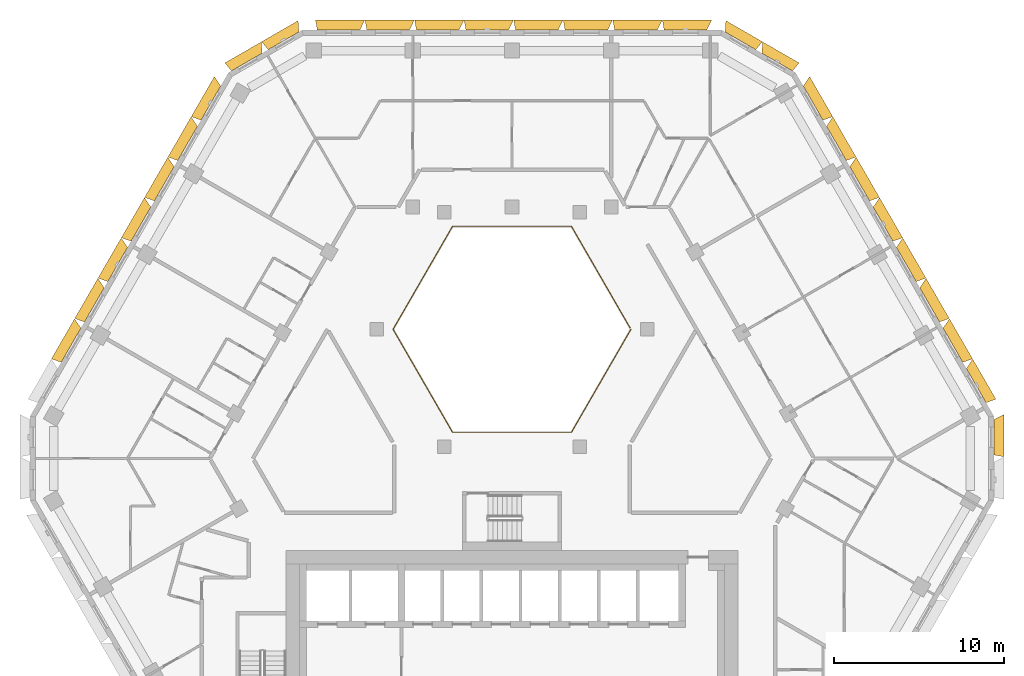
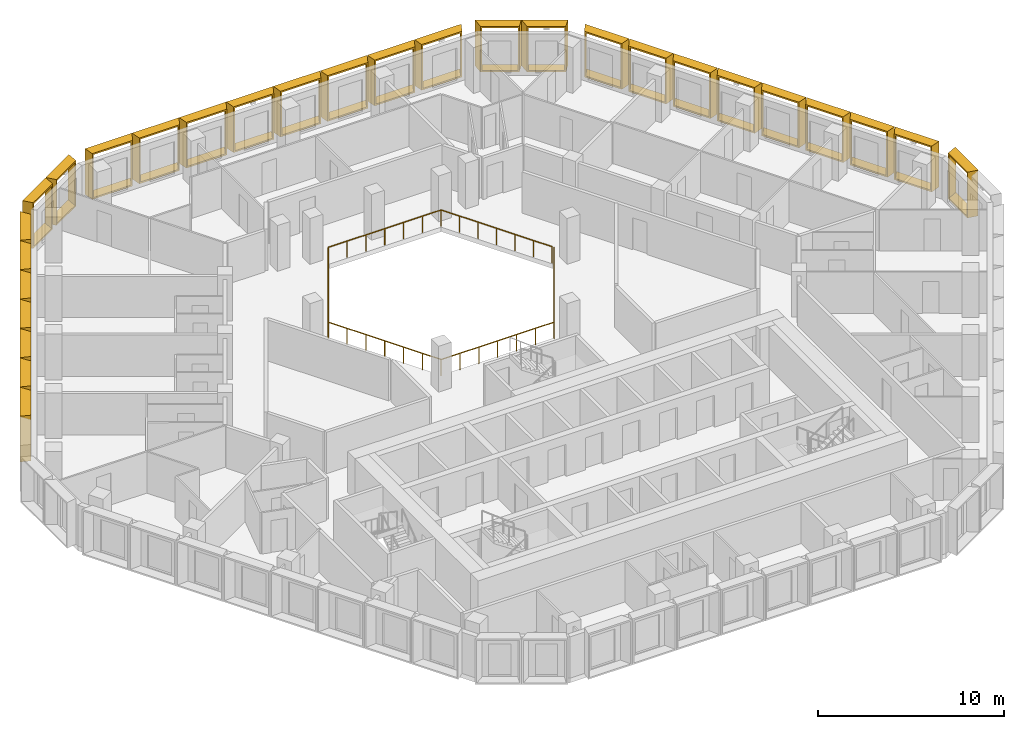
# One storey, part 17 of 17: 28 shading devices, 1 railing.
"""IFC4 building model written with IfcOpenShell, lengths in metres."""

import ifcopenshell
import ifcopenshell.guid

model = None  # the IFC model being written
_history = None  # IfcOwnerHistory: only IFC2X3 demands one
_inside = {}  # id of a spatial element -> (the spatial element, [elements in it])
_under = {}  # id of a project, library or spatial element -> (it, [spatial elements below it])
_declared = {}  # id of a project -> (the project, [libraries it declares])
_typed = {}  # id of a type object -> (the type object, [elements of that type])
_made_of = {}  # id of a material, layer set ... -> (it, [elements and type objects made of it])


def new_model(schema):
    """Start an empty IFC model of exactly this schema.

    Asked for "IFC4X3", IfcOpenShell would pick the latest addendum, in which some entities
    have other attributes; the version numbers below select the first issue.
    IFC2X3 requires an IfcOwnerHistory on every rooted entity: one is made here for all.
    """
    global model, _history
    if schema == "IFC4X3":
        model = ifcopenshell.file(schema_version=(4, 3, 0, 0))
    else:
        model = ifcopenshell.file(schema=schema)
    _inside.clear()
    _under.clear()
    _declared.clear()
    _typed.clear()
    _made_of.clear()
    _history = None
    if model.schema == "IFC2X3":
        org = make("IfcOrganization", Name="unknown")
        user = make(
            "IfcPersonAndOrganization",
            ThePerson=make("IfcPerson", FamilyName="unknown"),
            TheOrganization=org,
        )
        app = make(
            "IfcApplication",
            ApplicationDeveloper=org,
            Version="unknown",
            ApplicationFullName="unknown",
            ApplicationIdentifier="unknown",
        )
        _history = make(
            "IfcOwnerHistory",
            OwningUser=user,
            OwningApplication=app,
            ChangeAction="ADDED",
            CreationDate=0,
        )
    return model


def make(cls, **values):
    """One entity of the class cls with the attributes given. An attribute that is None is left unset."""
    return model.create_entity(
        cls, **{name: value for name, value in values.items() if value is not None}
    )


def entity(cls, *values):
    """Any entity or typed value of the class cls, its attributes in the order of the schema. None: left unset."""
    e = model.create_entity(cls)
    for i, value in enumerate(values):
        if value is not None:
            e[i] = value
    return e


def rooted(cls, **values):
    """An entity with a GlobalId (a new one), such as an element, a storey or a relation."""
    return make(cls, GlobalId=ifcopenshell.guid.new(), OwnerHistory=_history, **values)


def si_unit(unit_type, name, prefix=None):
    """IfcSIUnit, for example si_unit("LENGTHUNIT", "METRE", prefix="MILLI")."""
    return make("IfcSIUnit", UnitType=unit_type, Prefix=prefix, Name=name)


def assignment(units):
    """IfcUnitAssignment: the units of a project."""
    return None if units is None else make("IfcUnitAssignment", Units=units)


def point(xyz):
    """IfcCartesianPoint."""
    return None if xyz is None else make("IfcCartesianPoint", Coordinates=xyz)


def direction(xyz):
    """IfcDirection."""
    return None if xyz is None else make("IfcDirection", DirectionRatios=xyz)


def frame(location, z_axis=None, x_axis=None):
    """IfcAxis2Placement3D, a coordinate frame: its origin and axes. An axis left out is left unset."""
    return make(
        "IfcAxis2Placement3D",
        Location=point(location),
        Axis=direction(z_axis),
        RefDirection=direction(x_axis),
    )


def frame_2d(location, x_axis=None):
    """IfcAxis2Placement2D, a coordinate frame in the plane: its origin and x axis."""
    return make(
        "IfcAxis2Placement2D", Location=point(location), RefDirection=direction(x_axis)
    )


def origin():
    """The frame at (0, 0, 0) with its axes left unset."""
    return frame((0.0, 0.0, 0.0))


def origin_2d():
    """The frame at (0, 0) in the plane with its x axis left unset."""
    return frame_2d((0.0, 0.0))


def place(relative_to, where):
    """IfcLocalPlacement: puts the frame where relative to a parent placement (None: the world)."""
    return make(
        "IfcLocalPlacement", PlacementRelTo=relative_to, RelativePlacement=where
    )


def context(
    kind, dimensions, precision=None, world=None, true_north=None, identifier=None
):
    """IfcGeometricRepresentationContext, for example the 3D "Model" context."""
    return make(
        "IfcGeometricRepresentationContext",
        ContextIdentifier=identifier,
        ContextType=kind,
        CoordinateSpaceDimension=dimensions,
        Precision=precision,
        WorldCoordinateSystem=world,
        TrueNorth=true_north,
    )


def subcontext(parent, identifier, kind, view, scale=None):
    """IfcGeometricRepresentationSubContext, for example "Body" below "Model"."""
    return make(
        "IfcGeometricRepresentationSubContext",
        ContextIdentifier=identifier,
        ContextType=kind,
        ParentContext=parent,
        TargetScale=scale,
        TargetView=view,
    )


def project(units=None, contexts=None):
    """IfcProject with its units and contexts."""
    return rooted(
        "IfcProject",
        Name="project",
        RepresentationContexts=contexts,
        UnitsInContext=assignment(units),
    )


def spatial(cls, under=None, at=None, **own):
    """A site, building, storey or space (cls), placed at a placement, below another one or the project."""
    s = rooted(cls, ObjectPlacement=at, **own)
    if under is not None:
        _under.setdefault(under.id(), (under, []))[1].append(s)
    return s


def profile(cls, at=None, kind="AREA", **sizes):
    """A parametric profile (cls). Its sizes go by their IFC names, for example OverallWidth=200.0."""
    return make(cls, ProfileType=kind, Position=at, **sizes)


def rectangle(**sizes):
    """IfcRectangleProfileDef."""
    return profile("IfcRectangleProfileDef", **sizes)


def extrude(swept, where, along, depth):
    """IfcExtrudedAreaSolid: the profile swept, set in the frame where, extruded along a direction by depth."""
    return make(
        "IfcExtrudedAreaSolid",
        SweptArea=swept,
        Position=where,
        ExtrudedDirection=direction(along),
        Depth=depth,
    )


def shape(context_of_items, identifier, shape_type, items):
    """IfcShapeRepresentation: the items that make up one representation, for example the "Body"."""
    return make(
        "IfcShapeRepresentation",
        ContextOfItems=context_of_items,
        RepresentationIdentifier=identifier,
        RepresentationType=shape_type,
        Items=items,
    )


def source(mapping_origin, context_of_items, identifier, shape_type, items):
    """IfcRepresentationMap: a shape defined once, which mapped items show again and again."""
    return make(
        "IfcRepresentationMap",
        MappingOrigin=mapping_origin,
        MappedRepresentation=shape(context_of_items, identifier, shape_type, items),
    )


def transform(
    local_origin,
    x_axis=None,
    y_axis=None,
    z_axis=None,
    scale=None,
    scale2=None,
    scale3=None,
    uniform=True,
):
    """IfcCartesianTransformationOperator3D, or its non-uniform kind. x_axis, y_axis, z_axis: its Axis1, 2, 3."""
    if uniform:
        return make(
            "IfcCartesianTransformationOperator3D",
            Axis1=direction(x_axis),
            Axis2=direction(y_axis),
            LocalOrigin=point(local_origin),
            Scale=scale,
            Axis3=direction(z_axis),
        )
    return make(
        "IfcCartesianTransformationOperator3DnonUniform",
        Axis1=direction(x_axis),
        Axis2=direction(y_axis),
        LocalOrigin=point(local_origin),
        Scale=scale,
        Axis3=direction(z_axis),
        Scale2=scale2,
        Scale3=scale3,
    )


def mapped(mapping_source, mapping_target):
    """IfcMappedItem: shows the shape of a source again, moved by a transform."""
    return make(
        "IfcMappedItem", MappingSource=mapping_source, MappingTarget=mapping_target
    )


def material(Name=None, Category=None):
    """IfcMaterial."""
    return make("IfcMaterial", Name=Name, Category=Category)


def made_of(thing, what):
    """Note that an element or type object is made of a material, layer set ...; save() writes the relation."""
    if what is not None:
        _made_of.setdefault(what.id(), (what, []))[1].append(thing)
    return thing


def type_object(cls, material=None, **own):
    """A type object (cls), such as IfcWallType, which elements share."""
    return made_of(rooted(cls, **own), material)


def type_shapes(of_type, sources):
    """Give a type object the sources (RepresentationMaps) that its elements show as mapped items."""
    of_type.RepresentationMaps = sources


def element(
    cls,
    number,
    at=None,
    inside=None,
    cuts=None,
    type_object=None,
    material=None,
    context=None,
    identifier="Body",
    shape_type=None,
    held_by="IfcProductDefinitionShape",
    body=None,
    shapes=None,
    **own,
):
    """One element of the class cls, such as IfcWall. Its Tag is "e" and its number.

    at: its placement. inside: the storey or other place that contains it. cuts: it is an
    opening in that element (IfcRelVoidsElement). A single representation is given by context,
    identifier, shape_type and body (its items); several are given by shapes. held_by: the class
    of the entity that holds the representations. save() writes the other relations.
    """
    e = rooted(cls, Tag="e%d" % number, ObjectPlacement=at, **own)
    if body is not None:
        shapes = [shape(context, identifier, shape_type, body)]
    if shapes is not None:
        e.Representation = make(held_by, Representations=shapes)
    if inside is not None:
        _inside.setdefault(inside.id(), (inside, []))[1].append(e)
    if cuts is not None:
        rooted(
            "IfcRelVoidsElement", RelatingBuildingElement=cuts, RelatedOpeningElement=e
        )
    if type_object is not None:
        _typed.setdefault(type_object.id(), (type_object, []))[1].append(e)
    return made_of(e, material)


def aggregate(whole, parts):
    """IfcRelAggregates: a whole, such as a stair, and the parts it consists of."""
    return rooted("IfcRelAggregates", RelatingObject=whole, RelatedObjects=parts)


def save(model, path):
    """Write the relations noted so far, then the file.

    IfcRelAggregates (storeys below a building ...), IfcRelContainedInSpatialStructure (elements
    in a storey), IfcRelDefinesByType, IfcRelAssociatesMaterial and IfcRelDeclares: one each for
    every whole, place, type object, material and project.
    """
    for whole, parts in _under.values():
        aggregate(whole, parts)
    for where, things in _inside.values():
        rooted(
            "IfcRelContainedInSpatialStructure",
            RelatedElements=things,
            RelatingStructure=where,
        )
    for kind, things in _typed.values():
        rooted("IfcRelDefinesByType", RelatedObjects=things, RelatingType=kind)
    for what, things in _made_of.values():
        rooted("IfcRelAssociatesMaterial", RelatedObjects=things, RelatingMaterial=what)
    for by, libraries in _declared.values():
        rooted("IfcRelDeclares", RelatingContext=by, RelatedDefinitions=libraries)
    model.write(path)


model = new_model("IFC4")

# Units and contexts
model_context = context("Model", 3, precision=1e-05, world=origin(), true_north=direction((0.0, 1.0)))
body_context = subcontext(model_context, "Body", "Model", "MODEL_VIEW")
ifc_project = project(units=[si_unit("LENGTHUNIT", "METRE"), si_unit("AREAUNIT", "SQUARE_METRE"), si_unit("VOLUMEUNIT", "CUBIC_METRE"), si_unit("PLANEANGLEUNIT", "RADIAN"), si_unit("MASSUNIT", "GRAM", prefix="KILO")], contexts=[model_context])

# Site, building, storey
site_placement = place(None, origin())
site = spatial("IfcSite", under=ifc_project, at=site_placement, CompositionType="ELEMENT")
building_placement = place(site_placement, origin())
building = spatial("IfcBuilding", under=site, at=building_placement, Name="Beryl Residences", CompositionType="ELEMENT")
storey_placement = place(building_placement, frame((0.0, 0.0, 132.60009765625)))
storey = spatial("IfcBuildingStorey", under=building, at=storey_placement, Name="L40", CompositionType="ELEMENT", Elevation=132.60009765625)

# Railing
ifc_material_1 = material(Name="Stainless steel balustrade with glass infill", Category="steel")
railing_type = type_object("IfcRailingType", Name="EG1 edge guard 1100 mm", PredefinedType="GUARDRAIL", material=ifc_material_1)
railing_placement = place(storey_placement, frame((6.9970703125, 8.0, 0.0)))
element("IfcRailing", 1, at=railing_placement, inside=storey, type_object=railing_type, Name="L40 atrium guard", PredefinedType="GUARDRAIL", context=body_context, shape_type="SweptSolid", body=[
    extrude(rectangle(XDim=0.048095703125, YDim=0.048095703125, at=origin_2d()), frame((0.0, 0.0, 1.076171875), z_axis=(-0.499921796684, -0.866070549782, 0.0), x_axis=(0.866070549782, -0.499921796684, 0.0)), (0.0, 0.0, 1.0), 6.9970703125),
    extrude(rectangle(XDim=0.048095703125, YDim=0.048095703125, at=origin_2d()), frame((-3.498046875, -6.06005859375, 1.076171875), z_axis=(-1.0, 0.0, 0.0), x_axis=(0.0, -1.0, 0.0)), (0.0, 0.0, 1.0), 6.998046875),
    extrude(rectangle(XDim=0.048095703125, YDim=0.048095703125, at=origin_2d()), frame((-10.49609375, -6.06005859375, 1.076171875), z_axis=(-0.499921796684, 0.866070549782, 0.0), x_axis=(-0.866070549782, -0.499921796684, 0.0)), (0.0, 0.0, 1.0), 6.9970703125),
    extrude(rectangle(XDim=0.048095703125, YDim=0.048095703125, at=origin_2d()), frame((-13.994140625, 0.0, 1.076171875), z_axis=(0.499921796684, 0.866070549782, 0.0), x_axis=(-0.866070549782, 0.499921796684, 0.0)), (0.0, 0.0, 1.0), 6.9970703125),
    extrude(rectangle(XDim=0.048095703125, YDim=0.048095703125, at=origin_2d()), frame((-10.49609375, 6.06005859375, 1.076171875), z_axis=(1.0, 0.0, 0.0), x_axis=(0.0, 1.0, 0.0)), (0.0, 0.0, 1.0), 6.998046875),
    extrude(rectangle(XDim=0.048095703125, YDim=0.048095703125, at=origin_2d()), frame((-3.498046875, 6.06005859375, 1.076171875), z_axis=(0.499919131929, -0.866072087953, 0.0), x_axis=(0.866072087953, 0.499919131929, 0.0)), (0.0, 0.0, 1.0), 6.877197265625),
    extrude(rectangle(XDim=0.0419921875, YDim=0.0419921875, at=origin_2d()), origin(), (0.0, 0.0, 1.0), 1.052001953125),
    extrude(rectangle(XDim=0.0419921875, YDim=0.0419921875, at=origin_2d()), frame((-0.5830078125, -1.010009765625, 0.0)), (0.0, 0.0, 1.0), 1.052001953125),
    extrude(rectangle(XDim=0.0419921875, YDim=0.0419921875, at=origin_2d()), frame((-1.166015625, -2.02001953125, 0.0)), (0.0, 0.0, 1.0), 1.052001953125),
    extrude(rectangle(XDim=0.0419921875, YDim=0.0419921875, at=origin_2d()), frame((-1.7490234375, -3.030029296875, 0.0)), (0.0, 0.0, 1.0), 1.052001953125),
    extrude(rectangle(XDim=0.0419921875, YDim=0.0419921875, at=origin_2d()), frame((-2.33203125, -4.0400390625, 0.0)), (0.0, 0.0, 1.0), 1.052001953125),
    extrude(rectangle(XDim=0.0419921875, YDim=0.0419921875, at=origin_2d()), frame((-2.9150390625, -5.050048828125, 0.0)), (0.0, 0.0, 1.0), 1.052001953125),
    extrude(rectangle(XDim=0.0419921875, YDim=0.0419921875, at=origin_2d()), frame((-3.498046875, -6.06005859375, 0.0)), (0.0, 0.0, 1.0), 1.052001953125),
    extrude(rectangle(XDim=0.0419921875, YDim=0.0419921875, at=origin_2d()), frame((-4.664306640625, -6.06005859375, 0.0)), (0.0, 0.0, 1.0), 1.052001953125),
    extrude(rectangle(XDim=0.0419921875, YDim=0.0419921875, at=origin_2d()), frame((-5.830810546875, -6.06005859375, 0.0)), (0.0, 0.0, 1.0), 1.052001953125),
    extrude(rectangle(XDim=0.0419921875, YDim=0.0419921875, at=origin_2d()), frame((-6.9970703125, -6.06005859375, 0.0)), (0.0, 0.0, 1.0), 1.052001953125),
    extrude(rectangle(XDim=0.0419921875, YDim=0.0419921875, at=origin_2d()), frame((-8.163330078125, -6.06005859375, 0.0)), (0.0, 0.0, 1.0), 1.052001953125),
    extrude(rectangle(XDim=0.0419921875, YDim=0.0419921875, at=origin_2d()), frame((-9.329833984375, -6.06005859375, 0.0)), (0.0, 0.0, 1.0), 1.052001953125),
    extrude(rectangle(XDim=0.0419921875, YDim=0.0419921875, at=origin_2d()), frame((-10.49609375, -6.06005859375, 0.0)), (0.0, 0.0, 1.0), 1.052001953125),
    extrude(rectangle(XDim=0.0419921875, YDim=0.0419921875, at=origin_2d()), frame((-11.0791015625, -5.050048828125, 0.0)), (0.0, 0.0, 1.0), 1.052001953125),
    extrude(rectangle(XDim=0.0419921875, YDim=0.0419921875, at=origin_2d()), frame((-11.662109375, -4.0400390625, 0.0)), (0.0, 0.0, 1.0), 1.052001953125),
    extrude(rectangle(XDim=0.0419921875, YDim=0.0419921875, at=origin_2d()), frame((-12.2451171875, -3.030029296875, 0.0)), (0.0, 0.0, 1.0), 1.052001953125),
    extrude(rectangle(XDim=0.0419921875, YDim=0.0419921875, at=origin_2d()), frame((-12.828125, -2.02001953125, 0.0)), (0.0, 0.0, 1.0), 1.052001953125),
    extrude(rectangle(XDim=0.0419921875, YDim=0.0419921875, at=origin_2d()), frame((-13.4111328125, -1.010009765625, 0.0)), (0.0, 0.0, 1.0), 1.052001953125),
    extrude(rectangle(XDim=0.0419921875, YDim=0.0419921875, at=origin_2d()), frame((-13.994140625, 0.0, 0.0)), (0.0, 0.0, 1.0), 1.052001953125),
    extrude(rectangle(XDim=0.0419921875, YDim=0.0419921875, at=origin_2d()), frame((-13.4111328125, 1.010009765625, 0.0)), (0.0, 0.0, 1.0), 1.052001953125),
    extrude(rectangle(XDim=0.0419921875, YDim=0.0419921875, at=origin_2d()), frame((-12.828125, 2.02001953125, 0.0)), (0.0, 0.0, 1.0), 1.052001953125),
    extrude(rectangle(XDim=0.0419921875, YDim=0.0419921875, at=origin_2d()), frame((-12.2451171875, 3.030029296875, 0.0)), (0.0, 0.0, 1.0), 1.052001953125),
    extrude(rectangle(XDim=0.0419921875, YDim=0.0419921875, at=origin_2d()), frame((-11.662109375, 4.0400390625, 0.0)), (0.0, 0.0, 1.0), 1.052001953125),
    extrude(rectangle(XDim=0.0419921875, YDim=0.0419921875, at=origin_2d()), frame((-11.0791015625, 5.050048828125, 0.0)), (0.0, 0.0, 1.0), 1.052001953125),
    extrude(rectangle(XDim=0.0419921875, YDim=0.0419921875, at=origin_2d()), frame((-10.49609375, 6.06005859375, 0.0)), (0.0, 0.0, 1.0), 1.052001953125),
    extrude(rectangle(XDim=0.0419921875, YDim=0.0419921875, at=origin_2d()), frame((-9.329833984375, 6.06005859375, 0.0)), (0.0, 0.0, 1.0), 1.052001953125),
    extrude(rectangle(XDim=0.0419921875, YDim=0.0419921875, at=origin_2d()), frame((-8.163330078125, 6.06005859375, 0.0)), (0.0, 0.0, 1.0), 1.052001953125),
    extrude(rectangle(XDim=0.0419921875, YDim=0.0419921875, at=origin_2d()), frame((-6.9970703125, 6.06005859375, 0.0)), (0.0, 0.0, 1.0), 1.052001953125),
    extrude(rectangle(XDim=0.0419921875, YDim=0.0419921875, at=origin_2d()), frame((-5.830810546875, 6.06005859375, 0.0)), (0.0, 0.0, 1.0), 1.052001953125),
    extrude(rectangle(XDim=0.0419921875, YDim=0.0419921875, at=origin_2d()), frame((-4.664306640625, 6.06005859375, 0.0)), (0.0, 0.0, 1.0), 1.052001953125),
    extrude(rectangle(XDim=0.0419921875, YDim=0.0419921875, at=origin_2d()), frame((-3.498046875, 6.06005859375, 0.0)), (0.0, 0.0, 1.0), 1.052001953125),
    extrude(rectangle(XDim=0.0419921875, YDim=0.0419921875, at=origin_2d()), frame((-2.925048828125, 5.0673828125, 0.0)), (0.0, 0.0, 1.0), 1.052001953125),
    extrude(rectangle(XDim=0.0419921875, YDim=0.0419921875, at=origin_2d()), frame((-2.35205078125, 4.07470703125, 0.0)), (0.0, 0.0, 1.0), 1.052001953125),
    extrude(rectangle(XDim=0.0419921875, YDim=0.0419921875, at=origin_2d()), frame((-1.779052734375, 3.08203125, 0.0)), (0.0, 0.0, 1.0), 1.052001953125),
    extrude(rectangle(XDim=0.0419921875, YDim=0.0419921875, at=origin_2d()), frame((-1.2060546875, 2.08935546875, 0.0)), (0.0, 0.0, 1.0), 1.052001953125),
    extrude(rectangle(XDim=0.0419921875, YDim=0.0419921875, at=origin_2d()), frame((-0.633056640625, 1.0966796875, 0.0)), (0.0, 0.0, 1.0), 1.052001953125),
    extrude(rectangle(XDim=0.0419921875, YDim=0.0419921875, at=origin_2d()), frame((-0.06005859375, 0.10400390625, 0.0)), (0.0, 0.0, 1.0), 1.052001953125),
])

# Shading devices
ifc_material_2 = material(Name="Aluminium pale anodised", Category="aluminium")
shading_device_type_1 = type_object("IfcShadingDeviceType", Name="FR250-60B OUTER SKIN frame 600 mm deep, splay 26/10 deg, 2500 x 3000 mm cell", PredefinedType="USERDEFINED", material=ifc_material_2)
cartesian_point_1 = entity("IfcCartesianPoint", [-1.04052734375, 0.0])
cartesian_point_2 = entity("IfcCartesianPoint", [-0.951416015625, 0.10009765625])
cartesian_point_3 = entity("IfcCartesianPoint", [-1.333251953125, 0.0])
cartesian_point_4 = entity("IfcCartesianPoint", [-1.244140625, 0.10009765625])
shared_shape_1 = source(origin(), body_context, "Body", "SweptSolid", [
    entity("IfcExtrudedAreaSolidTapered", entity("IfcArbitraryProfileDefWithVoids", "AREA", None, entity("IfcPolyline", [cartesian_point_1, entity("IfcCartesianPoint", [1.04052734375, 0.0]), entity("IfcCartesianPoint", [1.04052734375, 3.0]), entity("IfcCartesianPoint", [-1.04052734375, 3.0]), cartesian_point_1]), [entity("IfcPolyline", [cartesian_point_2, entity("IfcCartesianPoint", [0.959228515625, 0.10009765625]), entity("IfcCartesianPoint", [0.959228515625, 2.89990234375]), entity("IfcCartesianPoint", [-0.951416015625, 2.89990234375]), cartesian_point_2])]), entity("IfcAxis2Placement3D", entity("IfcCartesianPoint", [0.0, 0.0, 0.0]), entity("IfcDirection", [0.0, 1.0, 0.0]), entity("IfcDirection", [-1.0, 0.0, 0.0])), entity("IfcDirection", [0.0, 0.0, 1.0]), 0.60009765625, entity("IfcArbitraryProfileDefWithVoids", "AREA", None, entity("IfcPolyline", [cartesian_point_3, entity("IfcCartesianPoint", [1.146240234375, 0.0]), entity("IfcCartesianPoint", [1.146240234375, 3.0]), entity("IfcCartesianPoint", [-1.333251953125, 3.0]), cartesian_point_3]), [entity("IfcPolyline", [cartesian_point_4, entity("IfcCartesianPoint", [1.06494140625, 0.10009765625]), entity("IfcCartesianPoint", [1.06494140625, 2.89990234375]), entity("IfcCartesianPoint", [-1.244140625, 2.89990234375]), cartesian_point_4])])),
])
type_shapes(shading_device_type_1, [shared_shape_1])
for number, where, z_axis, x_axis, name in (
    (2, (-13.43798828125, 24.97509765625, 0.0), (0.0, 0.0, 1.0), (0.866025403784, 0.5, 0.0), "FR250-60B frame L40 N-NW 1"),
    (3, (-15.60205078125, 23.72509765625, 0.0), (0.0, 0.0, 1.0), (0.866025403784, 0.5, 0.0), "FR250-60B frame L40 N-NW 2"),
):
    element("IfcShadingDevice", number, at=place(storey_placement, frame(where, z_axis=z_axis, x_axis=x_axis)), inside=storey, type_object=shading_device_type_1, Name=name, ObjectType="OUTER SKIN", PredefinedType="USERDEFINED", context=body_context, shape_type="MappedRepresentation", body=[
        mapped(shared_shape_1, transform((0.0, 0.0, 0.0))),
    ])
ifc_material_3 = material(Name="Aluminium pale anodised", Category="aluminium")
shading_device_type_2 = type_object("IfcShadingDeviceType", Name="FR250-60C OUTER SKIN frame 600 mm deep, splay 10/26 deg, 2500 x 3000 mm cell", PredefinedType="USERDEFINED", material=ifc_material_3)
cartesian_point_5 = entity("IfcCartesianPoint", [-1.04052734375, 0.0])
cartesian_point_6 = entity("IfcCartesianPoint", [-0.959228515625, 0.10009765625])
cartesian_point_7 = entity("IfcCartesianPoint", [-1.146240234375, 0.0])
cartesian_point_8 = entity("IfcCartesianPoint", [-1.06494140625, 0.10009765625])
shared_shape_2 = source(origin(), body_context, "Body", "SweptSolid", [
    entity("IfcExtrudedAreaSolidTapered", entity("IfcArbitraryProfileDefWithVoids", "AREA", None, entity("IfcPolyline", [cartesian_point_5, entity("IfcCartesianPoint", [1.04052734375, 0.0]), entity("IfcCartesianPoint", [1.04052734375, 3.0]), entity("IfcCartesianPoint", [-1.04052734375, 3.0]), cartesian_point_5]), [entity("IfcPolyline", [cartesian_point_6, entity("IfcCartesianPoint", [0.951416015625, 0.10009765625]), entity("IfcCartesianPoint", [0.951416015625, 2.89990234375]), entity("IfcCartesianPoint", [-0.959228515625, 2.89990234375]), cartesian_point_6])]), entity("IfcAxis2Placement3D", entity("IfcCartesianPoint", [0.0, 0.0, 0.0]), entity("IfcDirection", [0.0, 1.0, 0.0]), entity("IfcDirection", [-1.0, 0.0, 0.0])), entity("IfcDirection", [0.0, 0.0, 1.0]), 0.60009765625, entity("IfcArbitraryProfileDefWithVoids", "AREA", None, entity("IfcPolyline", [cartesian_point_7, entity("IfcCartesianPoint", [1.333251953125, 0.0]), entity("IfcCartesianPoint", [1.333251953125, 3.0]), entity("IfcCartesianPoint", [-1.146240234375, 3.0]), cartesian_point_7]), [entity("IfcPolyline", [cartesian_point_8, entity("IfcCartesianPoint", [1.244140625, 0.10009765625]), entity("IfcCartesianPoint", [1.244140625, 2.89990234375]), entity("IfcCartesianPoint", [-1.06494140625, 2.89990234375]), cartesian_point_8])])),
])
type_shapes(shading_device_type_2, [shared_shape_2])
for number, where, z_axis, x_axis, name in (
    (4, (28.347900390625, 1.64990234375, 0.0), (0.0, 0.0, 1.0), (0.0, -1.0, 0.0), "FR250-60C frame L40 SE-NE 2"),
    (5, (15.60205078125, 23.72509765625, 0.0), (0.0, 0.0, 1.0), (0.866025403784, -0.5, 0.0), "FR250-60C frame L40 NE-N 1"),
    (6, (13.43798828125, 24.97509765625, 0.0), (0.0, 0.0, 1.0), (0.866025403784, -0.5, 0.0), "FR250-60C frame L40 NE-N 2"),
):
    element("IfcShadingDevice", number, at=place(storey_placement, frame(where, z_axis=z_axis, x_axis=x_axis)), inside=storey, type_object=shading_device_type_2, Name=name, ObjectType="OUTER SKIN", PredefinedType="USERDEFINED", context=body_context, shape_type="MappedRepresentation", body=[
        mapped(shared_shape_2, transform((0.0, 0.0, 0.0))),
    ])
ifc_material_4 = material(Name="Aluminium pale anodised", Category="aluminium")
shading_device_type_3 = type_object("IfcShadingDeviceType", Name="FR274-60B OUTER SKIN frame 600 mm deep, splay 26/10 deg, 2740 x 3000 mm cell", PredefinedType="USERDEFINED", material=ifc_material_4)
cartesian_point_9 = entity("IfcCartesianPoint", [-1.160400390625, 0.0])
cartesian_point_10 = entity("IfcCartesianPoint", [-1.071533203125, 0.10009765625])
cartesian_point_11 = entity("IfcCartesianPoint", [-1.453125, 0.0])
cartesian_point_12 = entity("IfcCartesianPoint", [-1.364013671875, 0.10009765625])
shared_shape_3 = source(origin(), body_context, "Body", "SweptSolid", [
    entity("IfcExtrudedAreaSolidTapered", entity("IfcArbitraryProfileDefWithVoids", "AREA", None, entity("IfcPolyline", [cartesian_point_9, entity("IfcCartesianPoint", [1.160400390625, 0.0]), entity("IfcCartesianPoint", [1.160400390625, 3.0]), entity("IfcCartesianPoint", [-1.160400390625, 3.0]), cartesian_point_9]), [entity("IfcPolyline", [cartesian_point_10, entity("IfcCartesianPoint", [1.079345703125, 0.10009765625]), entity("IfcCartesianPoint", [1.079345703125, 2.89990234375]), entity("IfcCartesianPoint", [-1.071533203125, 2.89990234375]), cartesian_point_10])]), entity("IfcAxis2Placement3D", entity("IfcCartesianPoint", [0.0, 0.0, 0.0]), entity("IfcDirection", [0.0, 1.0, 0.0]), entity("IfcDirection", [-1.0, 0.0, 0.0])), entity("IfcDirection", [0.0, 0.0, 1.0]), 0.60009765625, entity("IfcArbitraryProfileDefWithVoids", "AREA", None, entity("IfcPolyline", [cartesian_point_11, entity("IfcCartesianPoint", [1.266357421875, 0.0]), entity("IfcCartesianPoint", [1.266357421875, 3.0]), entity("IfcCartesianPoint", [-1.453125, 3.0]), cartesian_point_11]), [entity("IfcPolyline", [cartesian_point_12, entity("IfcCartesianPoint", [1.18505859375, 0.10009765625]), entity("IfcCartesianPoint", [1.18505859375, 2.89990234375]), entity("IfcCartesianPoint", [-1.364013671875, 2.89990234375]), cartesian_point_12])])),
])
type_shapes(shading_device_type_3, [shared_shape_3])
for number, where, z_axis, x_axis, name in (
    (7, (-17.718017578125, 21.31298828125, 0.0), (0.0, 0.0, 1.0), (0.5, 0.866025403784, 0.0), "FR274-60B frame L40 NW 1"),
    (8, (-19.089111328125, 18.93798828125, 0.0), (0.0, 0.0, 1.0), (0.5, 0.866025403784, 0.0), "FR274-60B frame L40 NW 2"),
    (9, (-20.4599609375, 16.56298828125, 0.0), (0.0, 0.0, 1.0), (0.5, 0.866025403784, 0.0), "FR274-60B frame L40 NW 3"),
    (10, (-21.8310546875, 14.18798828125, 0.0), (0.0, 0.0, 1.0), (0.5, 0.866025403784, 0.0), "FR274-60B frame L40 NW 4"),
    (11, (-23.202880859375, 11.81201171875, 0.0), (0.0, 0.0, 1.0), (0.5, 0.866025403784, 0.0), "FR274-60B frame L40 NW 5"),
    (12, (-24.573974609375, 9.43701171875, 0.0), (0.0, 0.0, 1.0), (0.5, 0.866025403784, 0.0), "FR274-60B frame L40 NW 6"),
    (13, (-25.945068359375, 7.06201171875, 0.0), (0.0, 0.0, 1.0), (0.5, 0.866025403784, 0.0), "FR274-60B frame L40 NW 7"),
):
    element("IfcShadingDevice", number, at=place(storey_placement, frame(where, z_axis=z_axis, x_axis=x_axis)), inside=storey, type_object=shading_device_type_3, Name=name, ObjectType="OUTER SKIN", PredefinedType="USERDEFINED", context=body_context, shape_type="MappedRepresentation", body=[
        mapped(shared_shape_3, transform((0.0, 0.0, 0.0))),
    ])
ifc_material_5 = material(Name="Aluminium pale anodised", Category="aluminium")
shading_device_type_4 = type_object("IfcShadingDeviceType", Name="FR274-60C OUTER SKIN frame 600 mm deep, splay 10/26 deg, 2740 x 3000 mm cell", PredefinedType="USERDEFINED", material=ifc_material_5)
cartesian_point_13 = entity("IfcCartesianPoint", [-1.160400390625, 0.0])
cartesian_point_14 = entity("IfcCartesianPoint", [-1.079345703125, 0.10009765625])
cartesian_point_15 = entity("IfcCartesianPoint", [-1.266357421875, 0.0])
cartesian_point_16 = entity("IfcCartesianPoint", [-1.18505859375, 0.10009765625])
shared_shape_4 = source(origin(), body_context, "Body", "SweptSolid", [
    entity("IfcExtrudedAreaSolidTapered", entity("IfcArbitraryProfileDefWithVoids", "AREA", None, entity("IfcPolyline", [cartesian_point_13, entity("IfcCartesianPoint", [1.160400390625, 0.0]), entity("IfcCartesianPoint", [1.160400390625, 3.0]), entity("IfcCartesianPoint", [-1.160400390625, 3.0]), cartesian_point_13]), [entity("IfcPolyline", [cartesian_point_14, entity("IfcCartesianPoint", [1.071533203125, 0.10009765625]), entity("IfcCartesianPoint", [1.071533203125, 2.89990234375]), entity("IfcCartesianPoint", [-1.079345703125, 2.89990234375]), cartesian_point_14])]), entity("IfcAxis2Placement3D", entity("IfcCartesianPoint", [0.0, 0.0, 0.0]), entity("IfcDirection", [0.0, 1.0, 0.0]), entity("IfcDirection", [-1.0, 0.0, 0.0])), entity("IfcDirection", [0.0, 0.0, 1.0]), 0.60009765625, entity("IfcArbitraryProfileDefWithVoids", "AREA", None, entity("IfcPolyline", [cartesian_point_15, entity("IfcCartesianPoint", [1.453125, 0.0]), entity("IfcCartesianPoint", [1.453125, 3.0]), entity("IfcCartesianPoint", [-1.266357421875, 3.0]), cartesian_point_15]), [entity("IfcPolyline", [cartesian_point_16, entity("IfcCartesianPoint", [1.364013671875, 0.10009765625]), entity("IfcCartesianPoint", [1.364013671875, 2.89990234375]), entity("IfcCartesianPoint", [-1.18505859375, 2.89990234375]), cartesian_point_16])])),
])
type_shapes(shading_device_type_4, [shared_shape_4])
for number, where, z_axis, x_axis, name in (
    (14, (27.31591796875, 4.68701171875, 0.0), (0.0, 0.0, 1.0), (0.5, -0.866025403784, 0.0), "FR274-60C frame L40 NE 1"),
    (15, (25.945068359375, 7.06201171875, 0.0), (0.0, 0.0, 1.0), (0.5, -0.866025403784, 0.0), "FR274-60C frame L40 NE 2"),
    (16, (24.573974609375, 9.43701171875, 0.0), (0.0, 0.0, 1.0), (0.5, -0.866025403784, 0.0), "FR274-60C frame L40 NE 3"),
    (17, (23.202880859375, 11.81201171875, 0.0), (0.0, 0.0, 1.0), (0.5, -0.866025403784, 0.0), "FR274-60C frame L40 NE 4"),
    (18, (21.8310546875, 14.18798828125, 0.0), (0.0, 0.0, 1.0), (0.5, -0.866025403784, 0.0), "FR274-60C frame L40 NE 5"),
    (19, (20.4599609375, 16.56298828125, 0.0), (0.0, 0.0, 1.0), (0.5, -0.866025403784, 0.0), "FR274-60C frame L40 NE 6"),
    (20, (19.089111328125, 18.93798828125, 0.0), (0.0, 0.0, 1.0), (0.5, -0.866025403784, 0.0), "FR274-60C frame L40 NE 7"),
    (21, (17.718017578125, 21.31298828125, 0.0), (0.0, 0.0, 1.0), (0.5, -0.866025403784, 0.0), "FR274-60C frame L40 NE 8"),
):
    element("IfcShadingDevice", number, at=place(storey_placement, frame(where, z_axis=z_axis, x_axis=x_axis)), inside=storey, type_object=shading_device_type_4, Name=name, ObjectType="OUTER SKIN", PredefinedType="USERDEFINED", context=body_context, shape_type="MappedRepresentation", body=[
        mapped(shared_shape_4, transform((0.0, 0.0, 0.0))),
    ])
ifc_material_6 = material(Name="Aluminium pale anodised", Category="aluminium")
shading_device_type_5 = type_object("IfcShadingDeviceType", Name="FR292-60B OUTER SKIN frame 600 mm deep, splay 26/10 deg, 2920 x 3000 mm cell", PredefinedType="USERDEFINED", material=ifc_material_6)
cartesian_point_17 = entity("IfcCartesianPoint", [-1.25048828125, 0.0])
cartesian_point_18 = entity("IfcCartesianPoint", [-1.161376953125, 0.10009765625])
cartesian_point_19 = entity("IfcCartesianPoint", [-1.543212890625, 0.0])
cartesian_point_20 = entity("IfcCartesianPoint", [-1.4541015625, 0.10009765625])
shared_shape_5 = source(origin(), body_context, "Body", "SweptSolid", [
    entity("IfcExtrudedAreaSolidTapered", entity("IfcArbitraryProfileDefWithVoids", "AREA", None, entity("IfcPolyline", [cartesian_point_17, entity("IfcCartesianPoint", [1.25048828125, 0.0]), entity("IfcCartesianPoint", [1.25048828125, 3.0]), entity("IfcCartesianPoint", [-1.25048828125, 3.0]), cartesian_point_17]), [entity("IfcPolyline", [cartesian_point_18, entity("IfcCartesianPoint", [1.169189453125, 0.10009765625]), entity("IfcCartesianPoint", [1.169189453125, 2.89990234375]), entity("IfcCartesianPoint", [-1.161376953125, 2.89990234375]), cartesian_point_18])]), entity("IfcAxis2Placement3D", entity("IfcCartesianPoint", [0.0, 0.0, 0.0]), entity("IfcDirection", [0.0, 1.0, 0.0]), entity("IfcDirection", [-1.0, 0.0, 0.0])), entity("IfcDirection", [0.0, 0.0, 1.0]), 0.60009765625, entity("IfcArbitraryProfileDefWithVoids", "AREA", None, entity("IfcPolyline", [cartesian_point_19, entity("IfcCartesianPoint", [1.356201171875, 0.0]), entity("IfcCartesianPoint", [1.356201171875, 3.0]), entity("IfcCartesianPoint", [-1.543212890625, 3.0]), cartesian_point_19]), [entity("IfcPolyline", [cartesian_point_20, entity("IfcCartesianPoint", [1.275146484375, 0.10009765625]), entity("IfcCartesianPoint", [1.275146484375, 2.89990234375]), entity("IfcCartesianPoint", [-1.4541015625, 2.89990234375]), cartesian_point_20])])),
])
type_shapes(shading_device_type_5, [shared_shape_5])
for number, where, z_axis, x_axis, name in (
    (22, (10.2041015625, 25.60009765625, 0.0), (0.0, 0.0, 1.0), (1.0, 0.0, 0.0), "FR292-60B frame L40 N 1"),
    (23, (7.2890625, 25.60009765625, 0.0), (0.0, 0.0, 1.0), (1.0, 0.0, 0.0), "FR292-60B frame L40 N 2"),
    (24, (4.373046875, 25.60009765625, 0.0), (0.0, 0.0, 1.0), (1.0, 0.0, 0.0), "FR292-60B frame L40 N 3"),
    (25, (1.4580078125, 25.60009765625, 0.0), (0.0, 0.0, 1.0), (1.0, 0.0, 0.0), "FR292-60B frame L40 N 4"),
    (26, (-1.4580078125, 25.60009765625, 0.0), (0.0, 0.0, 1.0), (1.0, 0.0, 0.0), "FR292-60B frame L40 N 5"),
    (27, (-4.373046875, 25.60009765625, 0.0), (0.0, 0.0, 1.0), (1.0, 0.0, 0.0), "FR292-60B frame L40 N 6"),
    (28, (-7.2890625, 25.60009765625, 0.0), (0.0, 0.0, 1.0), (1.0, 0.0, 0.0), "FR292-60B frame L40 N 7"),
    (29, (-10.2041015625, 25.60009765625, 0.0), (0.0, 0.0, 1.0), (1.0, 0.0, 0.0), "FR292-60B frame L40 N 8"),
):
    element("IfcShadingDevice", number, at=place(storey_placement, frame(where, z_axis=z_axis, x_axis=x_axis)), inside=storey, type_object=shading_device_type_5, Name=name, ObjectType="OUTER SKIN", PredefinedType="USERDEFINED", context=body_context, shape_type="MappedRepresentation", body=[
        mapped(shared_shape_5, transform((0.0, 0.0, 0.0))),
    ])

save(model, "model.ifc")
